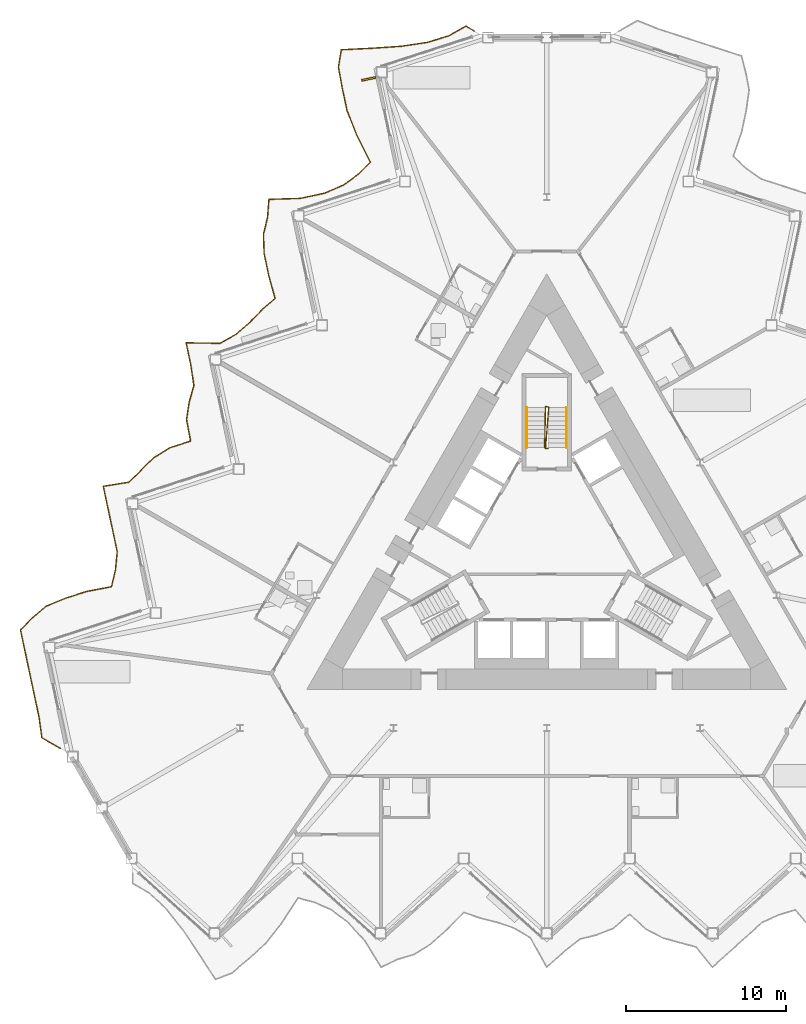
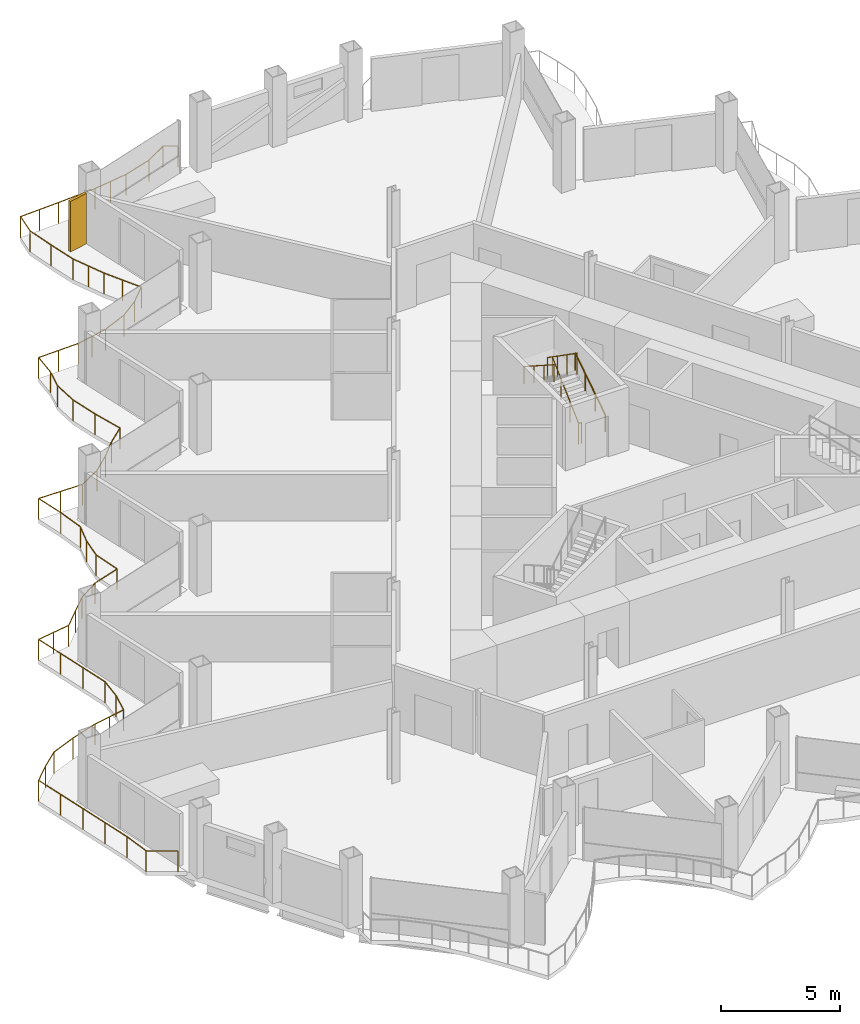
# One storey, part 20 of 23: 4 railings, 1 shading device.
"""IFC4 building model written with IfcOpenShell, lengths in metres."""

from ifc_helpers import new_model, si_unit, direction, frame, origin, origin_2d, place, context, subcontext, project, spatial, rectangle, circle, extrude, material, layer, layer_set, type_object, element, save


model = new_model("IFC4")

# Units and contexts
model_context = context("Model", 3, precision=1e-05, world=origin(), true_north=direction((0.0, 1.0)))
body_context = subcontext(model_context, "Body", "Model", "MODEL_VIEW")
ifc_project = project(units=[si_unit("LENGTHUNIT", "METRE"), si_unit("AREAUNIT", "SQUARE_METRE"), si_unit("VOLUMEUNIT", "CUBIC_METRE"), si_unit("PLANEANGLEUNIT", "RADIAN"), si_unit("MASSUNIT", "GRAM", prefix="KILO")], contexts=[model_context])

# Site, building, storey
site_placement = place(None, origin())
site = spatial("IfcSite", under=ifc_project, at=site_placement, CompositionType="ELEMENT")
building_placement = place(site_placement, origin())
building = spatial("IfcBuilding", under=site, at=building_placement, Name="Cormorant Prow Tower", CompositionType="ELEMENT")
storey_placement = place(building_placement, frame((0.0, 0.0, 241.800048828125)))
storey = spatial("IfcBuildingStorey", under=building, at=storey_placement, Name="L53", CompositionType="ELEMENT", Elevation=241.800048828125)

# Railings
ifc_material_1 = material(Name="Aluminium 6063-T6", Category="aluminium")
railing_type_1 = type_object("IfcRailingType", Name="Balcony guard 1100", PredefinedType="GUARDRAIL", material=ifc_material_1)
railing_1_placement = place(storey_placement, frame((-4.5009765625, 32.480712890625, 0.0)))
element("IfcRailing", 1, at=railing_1_placement, inside=storey, type_object=railing_type_1, Name="Balcony guard WNW", PredefinedType="GUARDRAIL", context=body_context, shape_type="SweptSolid", body=[
    extrude(circle(Radius=0.02392578125, at=origin_2d()), frame((0.0, 0.0, 1.076171875), z_axis=(-0.866108878364, 0.499855389907, 0.0), x_axis=(-0.499855389907, -0.866108878364, 0.0)), (0.0, 0.0, 1.0), 0.635986328125),
    extrude(circle(Radius=0.02392578125, at=origin_2d()), frame((-0.55078125, 0.31787109375, 1.076171875), z_axis=(-0.86738841602, -0.497631727037, 0.0), x_axis=(0.497631727037, -0.86738841602, 0.0)), (0.0, 0.0, 1.0), 1.197021484375),
    extrude(circle(Radius=0.02392578125, at=origin_2d()), frame((-1.589111328125, -0.27783203125, 1.076171875), z_axis=(-0.954818537326, -0.297189435846, 0.0), x_axis=(0.297189435846, -0.954818537326, 0.0)), (0.0, 0.0, 1.0), 1.408935546875),
    extrude(circle(Radius=0.02392578125, at=origin_2d()), frame((-2.934326171875, -0.696533203125, 1.076171875), z_axis=(-0.989117445671, -0.147128102923, 0.0), x_axis=(0.147128102923, -0.989117445671, 0.0)), (0.0, 0.0, 1.0), 1.664306640625),
    extrude(circle(Radius=0.02392578125, at=origin_2d()), frame((-4.58056640625, -0.94140625, 1.076171875), z_axis=(-0.99773369058, -0.067286571335, 0.0), x_axis=(0.067286571335, -0.99773369058, 0.0)), (0.0, 0.0, 1.0), 1.857666015625),
    extrude(circle(Radius=0.02392578125, at=origin_2d()), frame((-6.43408203125, -1.06640625, 1.076171875), z_axis=(-0.998767603563, -0.049631381939, 0.0), x_axis=(0.049631381939, -0.998767603563, 0.0)), (0.0, 0.0, 1.0), 1.90869140625),
    extrude(circle(Radius=0.02392578125, at=origin_2d()), frame((-8.34033203125, -1.1611328125, 1.076171875), z_axis=(-0.157964723351, -0.987444756012, 0.0), x_axis=(0.987444756012, -0.157964723351, 0.0)), (0.0, 0.0, 1.0), 1.108154296875),
    extrude(circle(Radius=0.02392578125, at=origin_2d()), frame((-8.515380859375, -2.25537109375, 1.076171875), z_axis=(0.180513225009, -0.983572557363, 0.0), x_axis=(0.983572557363, 0.180513225009, 0.0)), (0.0, 0.0, 1.0), 1.359130859375),
    extrude(circle(Radius=0.02392578125, at=origin_2d()), frame((-8.27001953125, -3.59228515625, 1.076171875), z_axis=(0.207865044312, -0.978157514592, 0.0), x_axis=(0.978157514592, 0.207865044312, 0.0)), (0.0, 0.0, 1.0), 1.39306640625),
    extrude(circle(Radius=0.02392578125, at=origin_2d()), frame((-7.98046875, -4.954833984375, 1.076171875), z_axis=(0.366882507914, -0.930267287067, 0.0), x_axis=(0.930267287067, 0.366882507914, 0.0)), (0.0, 0.0, 1.0), 1.66357421875),
    extrude(circle(Radius=0.02392578125, at=origin_2d()), frame((-7.3701171875, -6.50244140625, 1.076171875), z_axis=(0.449490009942, -0.893285358081, 0.0), x_axis=(0.893285358081, 0.449490009942, 0.0)), (0.0, 0.0, 1.0), 1.886474609375),
    extrude(circle(Radius=0.02392578125, at=origin_2d()), frame((-6.522216796875, -8.1875, 1.076171875), z_axis=(-0.706878866045, -0.70733462289, 0.0), x_axis=(0.70733462289, -0.706878866045, 0.0)), (0.0, 0.0, 1.0), 1.0712890625),
    extrude(circle(Radius=0.02392578125, at=origin_2d()), frame((-7.279541015625, -8.9453125, 1.076171875), z_axis=(-0.807671584794, -0.589632606897, 0.0), x_axis=(0.589632606897, -0.807671584794, 0.0)), (0.0, 0.0, 1.0), 1.132080078125),
    extrude(circle(Radius=0.02392578125, at=origin_2d()), frame((-8.19384765625, -9.61279296875, 1.076171875), z_axis=(-0.919865271319, -0.392234474035, 0.0), x_axis=(0.392234474035, -0.919865271319, 0.0)), (0.0, 0.0, 1.0), 1.294677734375),
    extrude(circle(Radius=0.02392578125, at=origin_2d()), frame((-9.384765625, -10.12060546875, 1.076171875), z_axis=(-0.977448644327, -0.21117326465, 0.0), x_axis=(0.21117326465, -0.977448644327, 0.0)), (0.0, 0.0, 1.0), 1.541015625),
    extrude(circle(Radius=0.02392578125, at=origin_2d()), frame((-10.89111328125, -10.446044921875, 1.076171875), z_axis=(-0.999521721228, -0.030924566176, 0.0), x_axis=(0.030924566176, -0.999521721228, 0.0)), (0.0, 0.0, 1.0), 1.9658203125),
    extrude(circle(Radius=0.02392578125, at=origin_2d()), frame((-12.85595703125, -10.5068359375, 1.076171875), z_axis=(-0.080100838595, -0.99678676539, 0.0), x_axis=(0.99678676539, -0.080100838595, 0.0)), (0.0, 0.0, 1.0), 1.14599609375),
    extrude(circle(Radius=0.02392578125, at=origin_2d()), frame((-12.94775390625, -11.649169921875, 1.076171875), z_axis=(-0.233586756065, -0.972335964259, 0.0), x_axis=(0.972335964259, -0.233586756065, 0.0)), (0.0, 0.0, 1.0), 1.07958984375),
    extrude(circle(Radius=0.02392578125, at=origin_2d()), frame((-13.199951171875, -12.698974609375, 1.076171875), z_axis=(0.035784228356, -0.999359539406, 0.0), x_axis=(0.999359539406, 0.035784228356, 0.0)), (0.0, 0.0, 1.0), 1.22119140625),
    extrude(circle(Radius=0.02392578125, at=origin_2d()), frame((-13.15625, -13.91943359375, 1.076171875), z_axis=(0.207900686127, -0.978149939788, 0.0), x_axis=(0.978149939788, 0.207900686127, 0.0)), (0.0, 0.0, 1.0), 1.392822265625),
    extrude(circle(Radius=0.02392578125, at=origin_2d()), frame((-12.86669921875, -15.28173828125, 1.076171875), z_axis=(0.265833522599, -0.964018951195, 0.0), x_axis=(0.964018951195, 0.265833522599, 0.0)), (0.0, 0.0, 1.0), 1.474853515625),
    extrude(circle(Radius=0.02392578125, at=origin_2d()), frame((-12.474609375, -16.70361328125, 1.076171875), z_axis=(-0.758202804025, -0.652018794184, 0.0), x_axis=(0.652018794184, -0.758202804025, 0.0)), (0.0, 0.0, 1.0), 1.0966796875),
    extrude(circle(Radius=0.02392578125, at=origin_2d()), frame((-13.30615234375, -17.418701171875, 1.076171875), z_axis=(-0.693936407602, -0.720036292283, 0.0), x_axis=(0.720036292283, -0.693936407602, 0.0)), (0.0, 0.0, 1.0), 1.06640625),
    extrude(circle(Radius=0.02392578125, at=origin_2d()), frame((-14.046142578125, -18.1865234375, 1.076171875), z_axis=(-0.750079137531, -0.661348083419, 0.0), x_axis=(0.661348083419, -0.750079137531, 0.0)), (0.0, 0.0, 1.0), 1.09228515625),
    extrude(circle(Radius=0.02392578125, at=origin_2d()), frame((-14.865478515625, -18.908935546875, 1.076171875), z_axis=(-0.870373533206, -0.49239203151, 0.0), x_axis=(0.49239203151, -0.870373533206, 0.0)), (0.0, 0.0, 1.0), 1.201416015625),
    extrude(circle(Radius=0.02392578125, at=origin_2d()), frame((-15.9111328125, -19.50048828125, 1.076171875), z_axis=(-0.99990616537, 0.013698921676, 0.0), x_axis=(-0.013698921676, -0.99990616537, 0.0)), (0.0, 0.0, 1.0), 2.120849609375),
    extrude(circle(Radius=0.02392578125, at=origin_2d()), frame((-18.03173828125, -19.471435546875, 1.076171875), z_axis=(0.208032727926, -0.978121865675, 0.0), x_axis=(0.978121865675, 0.208032727926, 0.0)), (0.0, 0.0, 1.0), 1.39306640625),
    extrude(circle(Radius=0.02392578125, at=origin_2d()), frame((-17.741943359375, -20.833984375, 1.076171875), z_axis=(0.147672462965, -0.989036320709, 0.0), x_axis=(0.989036320709, 0.147672462965, 0.0)), (0.0, 0.0, 1.0), 1.322509765625),
    extrude(circle(Radius=0.02392578125, at=origin_2d()), frame((-17.546630859375, -22.14208984375, 1.076171875), z_axis=(-0.272546130681, -0.962142716363, 0.0), x_axis=(0.962142716363, -0.272546130681, 0.0)), (0.0, 0.0, 1.0), 1.06787109375),
    extrude(circle(Radius=0.02392578125, at=origin_2d()), frame((-17.837646484375, -23.16943359375, 1.076171875), z_axis=(-0.152833795093, -0.98825190669, 0.0), x_axis=(0.98825190669, -0.152833795093, 0.0)), (0.0, 0.0, 1.0), 1.110107421875),
    extrude(circle(Radius=0.02392578125, at=origin_2d()), frame((-18.00732421875, -24.2666015625, 1.076171875), z_axis=(0.186381235176, -0.982477498559, 0.0), x_axis=(0.982477498559, 0.186381235176, 0.0)), (0.0, 0.0, 1.0), 1.3662109375),
    extrude(circle(Radius=0.02392578125, at=origin_2d()), frame((-17.752685546875, -25.60888671875, 1.076171875), z_axis=(-0.951073984581, -0.308963227348, 0.0), x_axis=(0.308963227348, -0.951073984581, 0.0)), (0.0, 0.0, 1.0), 1.39306640625),
    extrude(circle(Radius=0.02392578125, at=origin_2d()), frame((-19.07763671875, -26.039306640625, 1.076171875), z_axis=(-0.846365198588, -0.532602995316, 0.0), x_axis=(0.532602995316, -0.846365198588, 0.0)), (0.0, 0.0, 1.0), 1.170166015625),
    extrude(circle(Radius=0.02392578125, at=origin_2d()), frame((-20.068115234375, -26.66259765625, 1.076171875), z_axis=(-0.711527130942, -0.702658624037, 0.0), x_axis=(0.702658624037, -0.711527130942, 0.0)), (0.0, 0.0, 1.0), 1.07373046875),
    extrude(circle(Radius=0.02392578125, at=origin_2d()), frame((-20.83203125, -27.4169921875, 1.076171875), z_axis=(-0.708471848371, -0.705739073642, 0.0), x_axis=(0.705739073642, -0.708471848371, 0.0)), (0.0, 0.0, 1.0), 1.072021484375),
    extrude(circle(Radius=0.02392578125, at=origin_2d()), frame((-21.591552734375, -28.173583984375, 1.076171875), z_axis=(-0.987062768238, -0.160334311855, 0.0), x_axis=(0.160334311855, -0.987062768238, 0.0)), (0.0, 0.0, 1.0), 1.636962890625),
    extrude(circle(Radius=0.02392578125, at=origin_2d()), frame((-23.207275390625, -28.43603515625, 1.076171875), z_axis=(0.207865044312, -0.978157514592, 0.0), x_axis=(0.978157514592, 0.207865044312, 0.0)), (0.0, 0.0, 1.0), 1.39306640625),
    extrude(circle(Radius=0.02392578125, at=origin_2d()), frame((-22.917724609375, -29.798583984375, 1.076171875), z_axis=(0.207865044312, -0.978157514592, 0.0), x_axis=(0.978157514592, 0.207865044312, 0.0)), (0.0, 0.0, 1.0), 1.39306640625),
    extrude(circle(Radius=0.02392578125, at=origin_2d()), frame((-22.628173828125, -31.1611328125, 1.076171875), z_axis=(0.207900686127, -0.978149939788, 0.0), x_axis=(0.978149939788, 0.207900686127, 0.0)), (0.0, 0.0, 1.0), 1.392822265625),
    extrude(circle(Radius=0.02392578125, at=origin_2d()), frame((-22.338623046875, -32.5234375, 1.076171875), z_axis=(-0.094363770965, -0.995537783677, 0.0), x_axis=(0.995537783677, -0.094363770965, 0.0)), (0.0, 0.0, 1.0), 1.138427734375),
    extrude(circle(Radius=0.02392578125, at=origin_2d()), frame((-22.446044921875, -33.65673828125, 1.076171875), z_axis=(-0.230235545509, -0.973134930821, 0.0), x_axis=(0.973134930821, -0.230235545509, 0.0)), (0.0, 0.0, 1.0), 1.08056640625),
    extrude(circle(Radius=0.02392578125, at=origin_2d()), frame((-22.69482421875, -34.708251953125, 1.076171875), z_axis=(-0.982474376415, -0.186397692282, 0.0), x_axis=(0.186397692282, -0.982474376415, 0.0)), (0.0, 0.0, 1.0), 1.586181640625),
    extrude(circle(Radius=0.02392578125, at=origin_2d()), frame((-24.253173828125, -35.00390625, 1.076171875), z_axis=(-0.951057251471, -0.309014731726, 0.0), x_axis=(0.309014731726, -0.951057251471, 0.0)), (0.0, 0.0, 1.0), 1.392822265625),
    extrude(circle(Radius=0.02392578125, at=origin_2d()), frame((-25.577880859375, -35.434326171875, 1.076171875), z_axis=(-0.925502392525, -0.378741760874, 0.0), x_axis=(0.378741760874, -0.925502392525, 0.0)), (0.0, 0.0, 1.0), 1.30908203125),
    extrude(circle(Radius=0.02392578125, at=origin_2d()), frame((-26.78955078125, -35.93017578125, 1.076171875), z_axis=(-0.755387384612, -0.65527848978, 0.0), x_axis=(0.65527848978, -0.755387384612, 0.0)), (0.0, 0.0, 1.0), 1.094970703125),
    extrude(circle(Radius=0.02392578125, at=origin_2d()), frame((-27.61669921875, -36.647705078125, 1.076171875), z_axis=(-0.713328459137, -0.700829871927, 0.0), x_axis=(0.700829871927, -0.713328459137, 0.0)), (0.0, 0.0, 1.0), 1.07421875),
    extrude(circle(Radius=0.02392578125, at=origin_2d()), frame((-28.383056640625, -37.400634765625, 1.076171875), z_axis=(0.207865044312, -0.978157514592, 0.0), x_axis=(0.978157514592, 0.207865044312, 0.0)), (0.0, 0.0, 1.0), 1.39306640625),
    extrude(circle(Radius=0.02392578125, at=origin_2d()), frame((-28.093505859375, -38.76318359375, 1.076171875), z_axis=(0.208032727926, -0.978121865675, 0.0), x_axis=(0.978121865675, 0.208032727926, 0.0)), (0.0, 0.0, 1.0), 1.39306640625),
    extrude(circle(Radius=0.02392578125, at=origin_2d()), frame((-27.8037109375, -40.125732421875, 1.076171875), z_axis=(0.207900686127, -0.978149939788, 0.0), x_axis=(0.978149939788, 0.207900686127, 0.0)), (0.0, 0.0, 1.0), 1.392822265625),
    extrude(circle(Radius=0.02392578125, at=origin_2d()), frame((-27.51416015625, -41.488037109375, 1.076171875), z_axis=(0.207865044312, -0.978157514592, 0.0), x_axis=(0.978157514592, 0.207865044312, 0.0)), (0.0, 0.0, 1.0), 1.39306640625),
    extrude(circle(Radius=0.02392578125, at=origin_2d()), frame((-27.224609375, -42.8505859375, 1.076171875), z_axis=(0.137015359398, -0.990568923038, 0.0), x_axis=(0.990568923038, 0.137015359398, 0.0)), (0.0, 0.0, 1.0), 1.3115234375),
    extrude(circle(Radius=0.02392578125, at=origin_2d()), frame((-27.044921875, -44.149658203125, 1.076171875), z_axis=(0.86607089125, -0.499921205121, 0.0), x_axis=(0.499921205121, 0.86607089125, 0.0)), (0.0, 0.0, 1.0), 1.346923828125),
    extrude(circle(Radius=0.02099609375, at=origin_2d()), origin(), (0.0, 0.0, 1.0), 1.052001953125),
    extrude(circle(Radius=0.02099609375, at=origin_2d()), frame((-0.55078125, 0.31787109375, 0.0)), (0.0, 0.0, 1.0), 1.052001953125),
    extrude(circle(Radius=0.02099609375, at=origin_2d()), frame((-1.589111328125, -0.27783203125, 0.0)), (0.0, 0.0, 1.0), 1.052001953125),
    extrude(circle(Radius=0.02099609375, at=origin_2d()), frame((-2.934326171875, -0.696533203125, 0.0)), (0.0, 0.0, 1.0), 1.052001953125),
    extrude(circle(Radius=0.02099609375, at=origin_2d()), frame((-3.75732421875, -0.81884765625, 0.0)), (0.0, 0.0, 1.0), 1.052001953125),
    extrude(circle(Radius=0.02099609375, at=origin_2d()), frame((-4.58056640625, -0.94140625, 0.0)), (0.0, 0.0, 1.0), 1.052001953125),
    extrude(circle(Radius=0.02099609375, at=origin_2d()), frame((-5.50732421875, -1.00390625, 0.0)), (0.0, 0.0, 1.0), 1.052001953125),
    extrude(circle(Radius=0.02099609375, at=origin_2d()), frame((-6.43408203125, -1.06640625, 0.0)), (0.0, 0.0, 1.0), 1.052001953125),
    extrude(circle(Radius=0.02099609375, at=origin_2d()), frame((-7.38720703125, -1.11376953125, 0.0)), (0.0, 0.0, 1.0), 1.052001953125),
    extrude(circle(Radius=0.02099609375, at=origin_2d()), frame((-8.34033203125, -1.1611328125, 0.0)), (0.0, 0.0, 1.0), 1.052001953125),
    extrude(circle(Radius=0.02099609375, at=origin_2d()), frame((-8.515380859375, -2.25537109375, 0.0)), (0.0, 0.0, 1.0), 1.052001953125),
    extrude(circle(Radius=0.02099609375, at=origin_2d()), frame((-8.27001953125, -3.59228515625, 0.0)), (0.0, 0.0, 1.0), 1.052001953125),
    extrude(circle(Radius=0.02099609375, at=origin_2d()), frame((-7.98046875, -4.954833984375, 0.0)), (0.0, 0.0, 1.0), 1.052001953125),
    extrude(circle(Radius=0.02099609375, at=origin_2d()), frame((-7.67529296875, -5.728515625, 0.0)), (0.0, 0.0, 1.0), 1.052001953125),
    extrude(circle(Radius=0.02099609375, at=origin_2d()), frame((-7.3701171875, -6.50244140625, 0.0)), (0.0, 0.0, 1.0), 1.052001953125),
    extrude(circle(Radius=0.02099609375, at=origin_2d()), frame((-6.9462890625, -7.344970703125, 0.0)), (0.0, 0.0, 1.0), 1.052001953125),
    extrude(circle(Radius=0.02099609375, at=origin_2d()), frame((-6.522216796875, -8.1875, 0.0)), (0.0, 0.0, 1.0), 1.052001953125),
    extrude(circle(Radius=0.02099609375, at=origin_2d()), frame((-7.279541015625, -8.9453125, 0.0)), (0.0, 0.0, 1.0), 1.052001953125),
    extrude(circle(Radius=0.02099609375, at=origin_2d()), frame((-8.19384765625, -9.61279296875, 0.0)), (0.0, 0.0, 1.0), 1.052001953125),
    extrude(circle(Radius=0.02099609375, at=origin_2d()), frame((-9.384765625, -10.12060546875, 0.0)), (0.0, 0.0, 1.0), 1.052001953125),
    extrude(circle(Radius=0.02099609375, at=origin_2d()), frame((-10.137939453125, -10.283203125, 0.0)), (0.0, 0.0, 1.0), 1.052001953125),
    extrude(circle(Radius=0.02099609375, at=origin_2d()), frame((-10.89111328125, -10.446044921875, 0.0)), (0.0, 0.0, 1.0), 1.052001953125),
    extrude(circle(Radius=0.02099609375, at=origin_2d()), frame((-11.87353515625, -10.4765625, 0.0)), (0.0, 0.0, 1.0), 1.052001953125),
    extrude(circle(Radius=0.02099609375, at=origin_2d()), frame((-12.85595703125, -10.5068359375, 0.0)), (0.0, 0.0, 1.0), 1.052001953125),
    extrude(circle(Radius=0.02099609375, at=origin_2d()), frame((-12.94775390625, -11.649169921875, 0.0)), (0.0, 0.0, 1.0), 1.052001953125),
    extrude(circle(Radius=0.02099609375, at=origin_2d()), frame((-13.199951171875, -12.698974609375, 0.0)), (0.0, 0.0, 1.0), 1.052001953125),
    extrude(circle(Radius=0.02099609375, at=origin_2d()), frame((-13.15625, -13.91943359375, 0.0)), (0.0, 0.0, 1.0), 1.052001953125),
    extrude(circle(Radius=0.02099609375, at=origin_2d()), frame((-12.86669921875, -15.28173828125, 0.0)), (0.0, 0.0, 1.0), 1.052001953125),
    extrude(circle(Radius=0.02099609375, at=origin_2d()), frame((-12.474609375, -16.70361328125, 0.0)), (0.0, 0.0, 1.0), 1.052001953125),
    extrude(circle(Radius=0.02099609375, at=origin_2d()), frame((-13.30615234375, -17.418701171875, 0.0)), (0.0, 0.0, 1.0), 1.052001953125),
    extrude(circle(Radius=0.02099609375, at=origin_2d()), frame((-14.046142578125, -18.1865234375, 0.0)), (0.0, 0.0, 1.0), 1.052001953125),
    extrude(circle(Radius=0.02099609375, at=origin_2d()), frame((-14.865478515625, -18.908935546875, 0.0)), (0.0, 0.0, 1.0), 1.052001953125),
    extrude(circle(Radius=0.02099609375, at=origin_2d()), frame((-15.9111328125, -19.50048828125, 0.0)), (0.0, 0.0, 1.0), 1.052001953125),
    extrude(circle(Radius=0.02099609375, at=origin_2d()), frame((-16.971435546875, -19.48583984375, 0.0)), (0.0, 0.0, 1.0), 1.052001953125),
    extrude(circle(Radius=0.02099609375, at=origin_2d()), frame((-18.03173828125, -19.471435546875, 0.0)), (0.0, 0.0, 1.0), 1.052001953125),
    extrude(circle(Radius=0.02099609375, at=origin_2d()), frame((-17.741943359375, -20.833984375, 0.0)), (0.0, 0.0, 1.0), 1.052001953125),
    extrude(circle(Radius=0.02099609375, at=origin_2d()), frame((-17.546630859375, -22.14208984375, 0.0)), (0.0, 0.0, 1.0), 1.052001953125),
    extrude(circle(Radius=0.02099609375, at=origin_2d()), frame((-17.837646484375, -23.16943359375, 0.0)), (0.0, 0.0, 1.0), 1.052001953125),
    extrude(circle(Radius=0.02099609375, at=origin_2d()), frame((-18.00732421875, -24.2666015625, 0.0)), (0.0, 0.0, 1.0), 1.052001953125),
    extrude(circle(Radius=0.02099609375, at=origin_2d()), frame((-17.752685546875, -25.60888671875, 0.0)), (0.0, 0.0, 1.0), 1.052001953125),
    extrude(circle(Radius=0.02099609375, at=origin_2d()), frame((-19.07763671875, -26.039306640625, 0.0)), (0.0, 0.0, 1.0), 1.052001953125),
    extrude(circle(Radius=0.02099609375, at=origin_2d()), frame((-20.068115234375, -26.66259765625, 0.0)), (0.0, 0.0, 1.0), 1.052001953125),
    extrude(circle(Radius=0.02099609375, at=origin_2d()), frame((-20.83203125, -27.4169921875, 0.0)), (0.0, 0.0, 1.0), 1.052001953125),
    extrude(circle(Radius=0.02099609375, at=origin_2d()), frame((-21.591552734375, -28.173583984375, 0.0)), (0.0, 0.0, 1.0), 1.052001953125),
    extrude(circle(Radius=0.02099609375, at=origin_2d()), frame((-22.3994140625, -28.3046875, 0.0)), (0.0, 0.0, 1.0), 1.052001953125),
    extrude(circle(Radius=0.02099609375, at=origin_2d()), frame((-23.207275390625, -28.43603515625, 0.0)), (0.0, 0.0, 1.0), 1.052001953125),
    extrude(circle(Radius=0.02099609375, at=origin_2d()), frame((-22.917724609375, -29.798583984375, 0.0)), (0.0, 0.0, 1.0), 1.052001953125),
    extrude(circle(Radius=0.02099609375, at=origin_2d()), frame((-22.628173828125, -31.1611328125, 0.0)), (0.0, 0.0, 1.0), 1.052001953125),
    extrude(circle(Radius=0.02099609375, at=origin_2d()), frame((-22.338623046875, -32.5234375, 0.0)), (0.0, 0.0, 1.0), 1.052001953125),
    extrude(circle(Radius=0.02099609375, at=origin_2d()), frame((-22.446044921875, -33.65673828125, 0.0)), (0.0, 0.0, 1.0), 1.052001953125),
    extrude(circle(Radius=0.02099609375, at=origin_2d()), frame((-22.69482421875, -34.708251953125, 0.0)), (0.0, 0.0, 1.0), 1.052001953125),
    extrude(circle(Radius=0.02099609375, at=origin_2d()), frame((-23.47412109375, -34.85595703125, 0.0)), (0.0, 0.0, 1.0), 1.052001953125),
    extrude(circle(Radius=0.02099609375, at=origin_2d()), frame((-24.253173828125, -35.00390625, 0.0)), (0.0, 0.0, 1.0), 1.052001953125),
    extrude(circle(Radius=0.02099609375, at=origin_2d()), frame((-25.577880859375, -35.434326171875, 0.0)), (0.0, 0.0, 1.0), 1.052001953125),
    extrude(circle(Radius=0.02099609375, at=origin_2d()), frame((-26.78955078125, -35.93017578125, 0.0)), (0.0, 0.0, 1.0), 1.052001953125),
    extrude(circle(Radius=0.02099609375, at=origin_2d()), frame((-27.61669921875, -36.647705078125, 0.0)), (0.0, 0.0, 1.0), 1.052001953125),
    extrude(circle(Radius=0.02099609375, at=origin_2d()), frame((-28.383056640625, -37.400634765625, 0.0)), (0.0, 0.0, 1.0), 1.052001953125),
    extrude(circle(Radius=0.02099609375, at=origin_2d()), frame((-28.093505859375, -38.76318359375, 0.0)), (0.0, 0.0, 1.0), 1.052001953125),
    extrude(circle(Radius=0.02099609375, at=origin_2d()), frame((-27.8037109375, -40.125732421875, 0.0)), (0.0, 0.0, 1.0), 1.052001953125),
    extrude(circle(Radius=0.02099609375, at=origin_2d()), frame((-27.51416015625, -41.488037109375, 0.0)), (0.0, 0.0, 1.0), 1.052001953125),
    extrude(circle(Radius=0.02099609375, at=origin_2d()), frame((-27.224609375, -42.8505859375, 0.0)), (0.0, 0.0, 1.0), 1.052001953125),
    extrude(circle(Radius=0.02099609375, at=origin_2d()), frame((-27.044921875, -44.149658203125, 0.0)), (0.0, 0.0, 1.0), 1.052001953125),
    extrude(circle(Radius=0.02099609375, at=origin_2d()), frame((-25.87841796875, -44.822998046875, 0.0)), (0.0, 0.0, 1.0), 1.052001953125),
])
ifc_material_2 = material(Name="Stainless steel", Category="steel")
railing_type_2 = type_object("IfcRailingType", Name="Stair guard 1100", PredefinedType="GUARDRAIL", material=ifc_material_2)
railing_2_placement = place(storey_placement, frame((0.074951171875, 6.40576171875, 0.0)))
element("IfcRailing", 2, at=railing_2_placement, inside=storey, type_object=railing_type_2, Name="L53 ST3 stair guard 1", PredefinedType="GUARDRAIL", context=body_context, shape_type="SweptSolid", body=[
    extrude(circle(Radius=0.02392578125, at=origin_2d()), frame((0.0, 0.0, 1.076171875), z_axis=(-1.0, 0.0, 0.0), x_axis=(0.0, -1.0, 0.0)), (0.0, 0.0, 1.0), 0.14990234375),
    extrude(circle(Radius=0.02392578125, at=origin_2d()), frame((-0.14990234375, 0.0, 1.076171875), z_axis=(0.063595540489, 0.817423998443, 0.572515164864), x_axis=(-0.996987254287, 0.077565551559, 0.0)), (0.0, 0.0, 1.0), 3.14404296875),
    extrude(circle(Radius=0.02392578125, at=origin_2d()), frame((0.050048828125, 2.570068359375, 2.8759765625), z_axis=(-0.970072785993, 0.242814311512, 0.0), x_axis=(-0.242814311512, -0.970072785993, 0.0)), (0.0, 0.0, 1.0), 0.2060546875),
    extrude(circle(Radius=0.02392578125, at=origin_2d()), frame((-0.14990234375, 2.6201171875, 2.8759765625), z_axis=(-0.015949268585, -0.819014392183, 0.573551258589), x_axis=(0.999810440751, -0.019470042781, 0.0)), (0.0, 0.0, 1.0), 3.137939453125),
    extrude(circle(Radius=0.02099609375, at=origin_2d()), origin(), (0.0, 0.0, 1.0), 1.052001953125),
    extrude(circle(Radius=0.02099609375, at=origin_2d()), frame((-0.14990234375, 0.0, 0.0)), (0.0, 0.0, 1.0), 1.052001953125),
    extrude(circle(Radius=0.02099609375, at=origin_2d()), frame((-0.083251953125, 0.856689453125, 0.60009765625)), (0.0, 0.0, 1.0), 1.052001953125),
    extrude(circle(Radius=0.02099609375, at=origin_2d()), frame((-0.0166015625, 1.71337890625, 1.199951171875)), (0.0, 0.0, 1.0), 1.052001953125),
    extrude(circle(Radius=0.02099609375, at=origin_2d()), frame((0.050048828125, 2.570068359375, 1.800048828125)), (0.0, 0.0, 1.0), 1.052001953125),
    extrude(circle(Radius=0.02099609375, at=origin_2d()), frame((-0.14990234375, 2.6201171875, 1.800048828125)), (0.0, 0.0, 1.0), 1.052001953125),
    extrude(circle(Radius=0.02099609375, at=origin_2d()), frame((-0.16650390625, 1.763427734375, 2.39990234375)), (0.0, 0.0, 1.0), 1.052001953125),
    extrude(circle(Radius=0.02099609375, at=origin_2d()), frame((-0.183349609375, 0.90673828125, 3.0)), (0.0, 0.0, 1.0), 1.052001953125),
    extrude(circle(Radius=0.02099609375, at=origin_2d()), frame((-0.199951171875, 0.050048828125, 3.599853515625)), (0.0, 0.0, 1.0), 1.052001953125),
])
ifc_material_3 = material(Name="Stainless steel", Category="steel")
railing_type_3 = type_object("IfcRailingType", Name="Stair handrail 900", PredefinedType="HANDRAIL", material=ifc_material_3)
railing_3_placement = place(storey_placement, frame((1.243896484375, 6.455810546875, 0.179931640625)))
element("IfcRailing", 3, at=railing_3_placement, inside=storey, type_object=railing_type_3, Name="L53 ST3 stair handrail 1", PredefinedType="HANDRAIL", context=body_context, shape_type="SweptSolid", body=[
    extrude(circle(Radius=0.02392578125, at=origin_2d()), frame((0.0, 0.0, 0.8759765625), z_axis=(0.0, 0.841162588446, 0.540782303519), x_axis=(-1.0, 0.0, 0.0)), (0.0, 0.0, 1.0), 2.995849609375),
    extrude(circle(Radius=0.02099609375, at=origin_2d()), origin(), (0.0, 0.0, 1.0), 0.851806640625),
    extrude(circle(Radius=0.02099609375, at=origin_2d()), frame((0.0, 0.840087890625, 0.5400390625)), (0.0, 0.0, 1.0), 0.851806640625),
    extrude(circle(Radius=0.02099609375, at=origin_2d()), frame((0.0, 1.679931640625, 1.080078125)), (0.0, 0.0, 1.0), 0.851806640625),
    extrude(circle(Radius=0.02099609375, at=origin_2d()), frame((0.0, 2.52001953125, 1.6201171875)), (0.0, 0.0, 1.0), 0.851806640625),
])
railing_4_placement = place(storey_placement, frame((-1.243896484375, 8.975830078125, 1.97998046875)))
element("IfcRailing", 4, at=railing_4_placement, inside=storey, type_object=railing_type_3, Name="L53 ST3 stair handrail 2", PredefinedType="HANDRAIL", context=body_context, shape_type="SweptSolid", body=[
    extrude(circle(Radius=0.02392578125, at=origin_2d()), frame((0.0, 0.0, 0.8759765625), z_axis=(0.0, -0.841199657755, 0.540724639528), x_axis=(1.0, 0.0, 0.0)), (0.0, 0.0, 1.0), 2.995849609375),
    extrude(circle(Radius=0.02099609375, at=origin_2d()), origin(), (0.0, 0.0, 1.0), 0.851806640625),
    extrude(circle(Radius=0.02099609375, at=origin_2d()), frame((0.0, -0.840087890625, 0.5400390625)), (0.0, 0.0, 1.0), 0.851806640625),
    extrude(circle(Radius=0.02099609375, at=origin_2d()), frame((0.0, -1.679931640625, 1.079833984375)), (0.0, 0.0, 1.0), 0.851806640625),
    extrude(circle(Radius=0.02099609375, at=origin_2d()), frame((0.0, -2.52001953125, 1.619873046875)), (0.0, 0.0, 1.0), 0.851806640625),
])

# Shading device
ifc_material_4 = material(Name="Terracotta", Category="masonry")
ifc_layer = layer(ifc_material_4, 0.1201171875)
ifc_layer_set = layer_set([ifc_layer], Name="Terracotta")
shading_device_type = type_object("IfcShadingDeviceType", Name="Terracotta baguette fin 120x900x2600", PredefinedType="USERDEFINED", material=ifc_layer_set)
shading_device_placement = place(storey_placement, frame((-11.119140625, 29.49609375, 0.0), z_axis=(0.0, 0.0, 1.0), x_axis=(0.207911667327, -0.978147605727, 0.0)))
element("IfcShadingDevice", 5, at=shading_device_placement, inside=storey, type_object=shading_device_type, Name="Baguette fin WNW01", ObjectType="BAGUETTE", PredefinedType="USERDEFINED", context=body_context, shape_type="SweptSolid", body=[
    extrude(rectangle(XDim=0.1201171875, YDim=0.89990234375, at=origin_2d()), origin(), (0.0, 0.0, 1.0), 2.60009765625),
])

save(model, "model.ifc")
